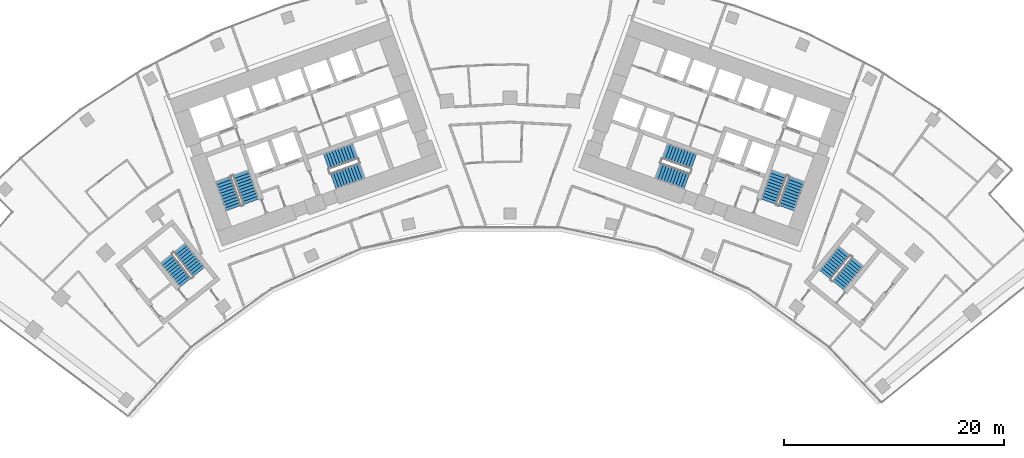
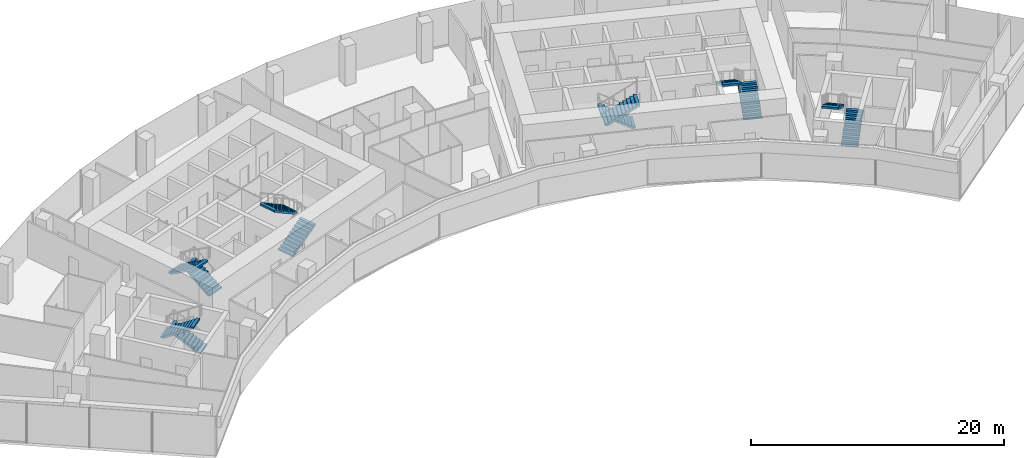
# One storey, part 19 of 21: 12 stair flights, 6 elements without a shape of their own.
"""IFC4 building model written with IfcOpenShell, lengths in metres."""

from ifc_helpers import new_model, si_unit, direction, frame, origin, place, context, subcontext, project, spatial, polyline, outline, extrude, material, type_object, element, aggregate, save


model = new_model("IFC4")

# Units and contexts
model_context = context("Model", 3, precision=1e-05, world=origin(), true_north=direction((0.0, 1.0)))
body_context = subcontext(model_context, "Body", "Model", "MODEL_VIEW")
ifc_project = project(units=[si_unit("LENGTHUNIT", "METRE"), si_unit("AREAUNIT", "SQUARE_METRE"), si_unit("VOLUMEUNIT", "CUBIC_METRE"), si_unit("PLANEANGLEUNIT", "RADIAN"), si_unit("MASSUNIT", "GRAM", prefix="KILO")], contexts=[model_context])

# Site, building, storey
site_placement = place(None, origin())
site = spatial("IfcSite", under=ifc_project, at=site_placement, CompositionType="ELEMENT")
building_placement = place(site_placement, origin())
building = spatial("IfcBuilding", under=site, at=building_placement, Name="Stone Belt Terrace Tower", CompositionType="ELEMENT")
storey_placement = place(building_placement, frame((0.0, 0.0, 163.0)))
storey = spatial("IfcBuildingStorey", under=building, at=storey_placement, Name="L39", CompositionType="ELEMENT", Elevation=163.0)

# Stair, stair flights
ifc_material = material(Name="Concrete B40", Category="concrete")
stair_type = type_object("IfcStairType", Name="Exit stair 1500", PredefinedType="HALF_TURN_STAIR", material=ifc_material)
stair_1_placement = place(storey_placement, origin())
stair_1 = element("IfcStair", 1, at=stair_1_placement, inside=storey, type_object=stair_type, Name="L39 Exit stair 1 core A", PredefinedType="HALF_TURN_STAIR")
stair_flight_type = type_object("IfcStairFlightType", Name="Stair flight 1500", PredefinedType="STRAIGHT", material=ifc_material)
stair_flight_1_placement = place(storey_placement, frame((-23.55322265625, 45.51318359375, 0.0), z_axis=(0.0, 0.0, 1.0), x_axis=(-0.338624396177, 0.940921632398, 0.0)))
stair_flight_1 = element("IfcStairFlight", 2, at=stair_flight_1_placement, type_object=stair_flight_type, Name="ST1A flight 1", NumberOfRisers=11, NumberOfTreads=10, PredefinedType="STRAIGHT", RiserHeight=0.172727273, TreadLength=0.28, context=body_context, shape_type="SweptSolid", body=[
    extrude(outline(polyline([(0.0, 0.0), (0.0, 0.172607421875), (0.280029296875, 0.172607421875), (0.280029296875, 0.345458984375), (0.56005859375, 0.345458984375), (0.56005859375, 0.51806640625), (0.840087890625, 0.51806640625), (0.840087890625, 0.69091796875), (1.1201171875, 0.69091796875), (1.1201171875, 0.863525390625), (1.39990234375, 0.863525390625), (1.39990234375, 1.036376953125), (1.679931640625, 1.036376953125), (1.679931640625, 1.208984375), (1.9599609375, 1.208984375), (1.9599609375, 1.3818359375), (2.239990234375, 1.3818359375), (2.239990234375, 1.554443359375), (2.52001953125, 1.554443359375), (2.52001953125, 1.727294921875), (2.800048828125, 1.727294921875), (2.800048828125, 1.89990234375), (2.800048828125, 1.551025390625), (0.285400390625, 0.0), (0.0, 0.0)])), frame((0.0, 0.75, 0.0), z_axis=(0.0, -1.0, 0.0), x_axis=(1.0, 0.0, 0.0)), (0.0, 0.0, 1.0), 1.5),
])
stair_flight_2_placement = place(storey_placement, frame((-26.10107421875, 47.572021484375, 1.89990234375), z_axis=(0.0, 0.0, 1.0), x_axis=(0.338624396177, -0.940921632398, 0.0)))
stair_flight_2 = element("IfcStairFlight", 3, at=stair_flight_2_placement, type_object=stair_flight_type, Name="ST1A flight 2", NumberOfRisers=11, NumberOfTreads=10, PredefinedType="STRAIGHT", RiserHeight=0.172727273, TreadLength=0.28, context=body_context, shape_type="SweptSolid", body=[
    extrude(outline(polyline([(0.0, 0.0), (0.0, 0.172607421875), (0.280029296875, 0.172607421875), (0.280029296875, 0.345458984375), (0.56005859375, 0.345458984375), (0.56005859375, 0.51806640625), (0.840087890625, 0.51806640625), (0.840087890625, 0.69091796875), (1.1201171875, 0.69091796875), (1.1201171875, 0.863525390625), (1.39990234375, 0.863525390625), (1.39990234375, 1.036376953125), (1.679931640625, 1.036376953125), (1.679931640625, 1.208984375), (1.9599609375, 1.208984375), (1.9599609375, 1.3818359375), (2.239990234375, 1.3818359375), (2.239990234375, 1.554443359375), (2.52001953125, 1.554443359375), (2.52001953125, 1.727294921875), (2.800048828125, 1.727294921875), (2.800048828125, 1.89990234375), (2.800048828125, 1.551025390625), (0.285400390625, 0.0), (0.0, 0.0)])), frame((0.0, 0.75, 0.0), z_axis=(0.0, -1.0, 0.0), x_axis=(1.0, 0.0, 0.0)), (0.0, 0.0, 1.0), 1.5),
])
aggregate(stair_1, [stair_flight_1, stair_flight_2])

stair_2_placement = place(storey_placement, origin())
stair_2 = element("IfcStair", 4, at=stair_2_placement, inside=storey, type_object=stair_type, Name="L39 Exit stair 2 core A", PredefinedType="HALF_TURN_STAIR")
stair_flight_3_placement = place(storey_placement, frame((-16.101318359375, 47.39794921875, 0.0), z_axis=(0.0, 0.0, 1.0), x_axis=(0.940921632398, 0.338624396177, 0.0)))
stair_flight_3 = element("IfcStairFlight", 5, at=stair_flight_3_placement, type_object=stair_flight_type, Name="ST2A flight 1", NumberOfRisers=11, NumberOfTreads=10, PredefinedType="STRAIGHT", RiserHeight=0.172727273, TreadLength=0.28, context=body_context, shape_type="SweptSolid", body=[
    extrude(outline(polyline([(0.0, 0.0), (0.0, 0.172607421875), (0.280029296875, 0.172607421875), (0.280029296875, 0.345458984375), (0.56005859375, 0.345458984375), (0.56005859375, 0.51806640625), (0.840087890625, 0.51806640625), (0.840087890625, 0.69091796875), (1.1201171875, 0.69091796875), (1.1201171875, 0.863525390625), (1.39990234375, 0.863525390625), (1.39990234375, 1.036376953125), (1.679931640625, 1.036376953125), (1.679931640625, 1.208984375), (1.9599609375, 1.208984375), (1.9599609375, 1.3818359375), (2.239990234375, 1.3818359375), (2.239990234375, 1.554443359375), (2.52001953125, 1.554443359375), (2.52001953125, 1.727294921875), (2.800048828125, 1.727294921875), (2.800048828125, 1.89990234375), (2.800048828125, 1.551025390625), (0.285400390625, 0.0), (0.0, 0.0)])), frame((0.0, 0.75, 0.0), z_axis=(0.0, -1.0, 0.0), x_axis=(1.0, 0.0, 0.0)), (0.0, 0.0, 1.0), 1.5),
])
stair_flight_4_placement = place(storey_placement, frame((-14.110107421875, 50.1337890625, 1.89990234375), z_axis=(0.0, 0.0, 1.0), x_axis=(-0.940921632398, -0.338624396177, 0.0)))
stair_flight_4 = element("IfcStairFlight", 6, at=stair_flight_4_placement, type_object=stair_flight_type, Name="ST2A flight 2", NumberOfRisers=11, NumberOfTreads=10, PredefinedType="STRAIGHT", RiserHeight=0.172727273, TreadLength=0.28, context=body_context, shape_type="SweptSolid", body=[
    extrude(outline(polyline([(0.0, 0.0), (0.0, 0.172607421875), (0.280029296875, 0.172607421875), (0.280029296875, 0.345458984375), (0.56005859375, 0.345458984375), (0.56005859375, 0.51806640625), (0.840087890625, 0.51806640625), (0.840087890625, 0.69091796875), (1.1201171875, 0.69091796875), (1.1201171875, 0.863525390625), (1.39990234375, 0.863525390625), (1.39990234375, 1.036376953125), (1.679931640625, 1.036376953125), (1.679931640625, 1.208984375), (1.9599609375, 1.208984375), (1.9599609375, 1.3818359375), (2.239990234375, 1.3818359375), (2.239990234375, 1.554443359375), (2.52001953125, 1.554443359375), (2.52001953125, 1.727294921875), (2.800048828125, 1.727294921875), (2.800048828125, 1.89990234375), (2.800048828125, 1.551025390625), (0.285400390625, 0.0), (0.0, 0.0)])), frame((0.0, 0.75, 0.0), z_axis=(0.0, -1.0, 0.0), x_axis=(1.0, 0.0, 0.0)), (0.0, 0.0, 1.0), 1.5),
])
aggregate(stair_2, [stair_flight_3, stair_flight_4])

stair_3_placement = place(storey_placement, origin())
stair_3 = element("IfcStair", 7, at=stair_3_placement, inside=storey, type_object=stair_type, Name="L39 Exit stair 1 core B", PredefinedType="HALF_TURN_STAIR")
stair_flight_5_placement = place(storey_placement, frame((25.15283203125, 44.9375, 0.0), z_axis=(0.0, 0.0, 1.0), x_axis=(0.338624396177, 0.940921632398, 0.0)))
stair_flight_5 = element("IfcStairFlight", 8, at=stair_flight_5_placement, type_object=stair_flight_type, Name="ST1B flight 1", NumberOfRisers=11, NumberOfTreads=10, PredefinedType="STRAIGHT", RiserHeight=0.172727273, TreadLength=0.28, context=body_context, shape_type="SweptSolid", body=[
    extrude(outline(polyline([(0.0, 0.0), (0.0, 0.172607421875), (0.280029296875, 0.172607421875), (0.280029296875, 0.345458984375), (0.56005859375, 0.345458984375), (0.56005859375, 0.51806640625), (0.840087890625, 0.51806640625), (0.840087890625, 0.69091796875), (1.1201171875, 0.69091796875), (1.1201171875, 0.863525390625), (1.39990234375, 0.863525390625), (1.39990234375, 1.036376953125), (1.679931640625, 1.036376953125), (1.679931640625, 1.208984375), (1.9599609375, 1.208984375), (1.9599609375, 1.3818359375), (2.239990234375, 1.3818359375), (2.239990234375, 1.554443359375), (2.52001953125, 1.554443359375), (2.52001953125, 1.727294921875), (2.800048828125, 1.727294921875), (2.800048828125, 1.89990234375), (2.800048828125, 1.551025390625), (0.285400390625, 0.0), (0.0, 0.0)])), frame((0.0, 0.75, 0.0), z_axis=(0.0, -1.0, 0.0), x_axis=(1.0, 0.0, 0.0)), (0.0, 0.0, 1.0), 1.5),
])
stair_flight_6_placement = place(storey_placement, frame((24.50146484375, 48.147705078125, 1.89990234375), z_axis=(0.0, 0.0, 1.0), x_axis=(-0.338624396177, -0.940921632398, 0.0)))
stair_flight_6 = element("IfcStairFlight", 9, at=stair_flight_6_placement, type_object=stair_flight_type, Name="ST1B flight 2", NumberOfRisers=11, NumberOfTreads=10, PredefinedType="STRAIGHT", RiserHeight=0.172727273, TreadLength=0.28, context=body_context, shape_type="SweptSolid", body=[
    extrude(outline(polyline([(0.0, 0.0), (0.0, 0.172607421875), (0.280029296875, 0.172607421875), (0.280029296875, 0.345458984375), (0.56005859375, 0.345458984375), (0.56005859375, 0.51806640625), (0.840087890625, 0.51806640625), (0.840087890625, 0.69091796875), (1.1201171875, 0.69091796875), (1.1201171875, 0.863525390625), (1.39990234375, 0.863525390625), (1.39990234375, 1.036376953125), (1.679931640625, 1.036376953125), (1.679931640625, 1.208984375), (1.9599609375, 1.208984375), (1.9599609375, 1.3818359375), (2.239990234375, 1.3818359375), (2.239990234375, 1.554443359375), (2.52001953125, 1.554443359375), (2.52001953125, 1.727294921875), (2.800048828125, 1.727294921875), (2.800048828125, 1.89990234375), (2.800048828125, 1.551025390625), (0.285400390625, 0.0), (0.0, 0.0)])), frame((0.0, 0.75, 0.0), z_axis=(0.0, -1.0, 0.0), x_axis=(1.0, 0.0, 0.0)), (0.0, 0.0, 1.0), 1.5),
])
aggregate(stair_3, [stair_flight_5, stair_flight_6])

stair_4_placement = place(storey_placement, origin())
stair_4 = element("IfcStair", 10, at=stair_4_placement, inside=storey, type_object=stair_type, Name="L39 Exit stair 2 core B", PredefinedType="HALF_TURN_STAIR")
stair_flight_7_placement = place(storey_placement, frame((16.74462890625, 49.185546875, 0.0), z_axis=(0.0, 0.0, 1.0), x_axis=(-0.940921632398, 0.338624396177, 0.0)))
stair_flight_7 = element("IfcStairFlight", 11, at=stair_flight_7_placement, type_object=stair_flight_type, Name="ST2B flight 1", NumberOfRisers=11, NumberOfTreads=10, PredefinedType="STRAIGHT", RiserHeight=0.172727273, TreadLength=0.28, context=body_context, shape_type="SweptSolid", body=[
    extrude(outline(polyline([(0.0, 0.0), (0.0, 0.172607421875), (0.280029296875, 0.172607421875), (0.280029296875, 0.345458984375), (0.56005859375, 0.345458984375), (0.56005859375, 0.51806640625), (0.840087890625, 0.51806640625), (0.840087890625, 0.69091796875), (1.1201171875, 0.69091796875), (1.1201171875, 0.863525390625), (1.39990234375, 0.863525390625), (1.39990234375, 1.036376953125), (1.679931640625, 1.036376953125), (1.679931640625, 1.208984375), (1.9599609375, 1.208984375), (1.9599609375, 1.3818359375), (2.239990234375, 1.3818359375), (2.239990234375, 1.554443359375), (2.52001953125, 1.554443359375), (2.52001953125, 1.727294921875), (2.800048828125, 1.727294921875), (2.800048828125, 1.89990234375), (2.800048828125, 1.551025390625), (0.285400390625, 0.0), (0.0, 0.0)])), frame((0.0, 0.75, 0.0), z_axis=(0.0, -1.0, 0.0), x_axis=(1.0, 0.0, 0.0)), (0.0, 0.0, 1.0), 1.5),
])
stair_flight_8_placement = place(storey_placement, frame((13.466796875, 48.345947265625, 1.89990234375), z_axis=(0.0, 0.0, 1.0), x_axis=(0.940921632398, -0.338624396177, 0.0)))
stair_flight_8 = element("IfcStairFlight", 12, at=stair_flight_8_placement, type_object=stair_flight_type, Name="ST2B flight 2", NumberOfRisers=11, NumberOfTreads=10, PredefinedType="STRAIGHT", RiserHeight=0.172727273, TreadLength=0.28, context=body_context, shape_type="SweptSolid", body=[
    extrude(outline(polyline([(0.0, 0.0), (0.0, 0.172607421875), (0.280029296875, 0.172607421875), (0.280029296875, 0.345458984375), (0.56005859375, 0.345458984375), (0.56005859375, 0.51806640625), (0.840087890625, 0.51806640625), (0.840087890625, 0.69091796875), (1.1201171875, 0.69091796875), (1.1201171875, 0.863525390625), (1.39990234375, 0.863525390625), (1.39990234375, 1.036376953125), (1.679931640625, 1.036376953125), (1.679931640625, 1.208984375), (1.9599609375, 1.208984375), (1.9599609375, 1.3818359375), (2.239990234375, 1.3818359375), (2.239990234375, 1.554443359375), (2.52001953125, 1.554443359375), (2.52001953125, 1.727294921875), (2.800048828125, 1.727294921875), (2.800048828125, 1.89990234375), (2.800048828125, 1.551025390625), (0.285400390625, 0.0), (0.0, 0.0)])), frame((0.0, 0.75, 0.0), z_axis=(0.0, -1.0, 0.0), x_axis=(1.0, 0.0, 0.0)), (0.0, 0.0, 1.0), 1.5),
])
aggregate(stair_4, [stair_flight_7, stair_flight_8])

stair_5_placement = place(storey_placement, origin())
stair_5 = element("IfcStair", 13, at=stair_5_placement, inside=storey, type_object=stair_type, Name="L39 Exit stair 3A", PredefinedType="HALF_TURN_STAIR")
stair_flight_9_placement = place(storey_placement, frame((-28.325439453125, 39.1240234375, 0.0), z_axis=(0.0, 0.0, 1.0), x_axis=(-0.623121363691, 0.782125160132, 0.0)))
stair_flight_9 = element("IfcStairFlight", 14, at=stair_flight_9_placement, type_object=stair_flight_type, Name="ST3A flight 1", NumberOfRisers=11, NumberOfTreads=10, PredefinedType="STRAIGHT", RiserHeight=0.172727273, TreadLength=0.28, context=body_context, shape_type="SweptSolid", body=[
    extrude(outline(polyline([(0.0, 0.0), (0.0, 0.172607421875), (0.280029296875, 0.172607421875), (0.280029296875, 0.345458984375), (0.56005859375, 0.345458984375), (0.56005859375, 0.51806640625), (0.840087890625, 0.51806640625), (0.840087890625, 0.69091796875), (1.1201171875, 0.69091796875), (1.1201171875, 0.863525390625), (1.39990234375, 0.863525390625), (1.39990234375, 1.036376953125), (1.679931640625, 1.036376953125), (1.679931640625, 1.208984375), (1.9599609375, 1.208984375), (1.9599609375, 1.3818359375), (2.239990234375, 1.3818359375), (2.239990234375, 1.554443359375), (2.52001953125, 1.554443359375), (2.52001953125, 1.727294921875), (2.800048828125, 1.727294921875), (2.800048828125, 1.89990234375), (2.800048828125, 1.551025390625), (0.285400390625, 0.0), (0.0, 0.0)])), frame((0.0, 0.675048828125, 0.0), z_axis=(0.0, -1.0, 0.0), x_axis=(1.0, 0.0, 0.0)), (0.0, 0.0, 1.0), 1.35009765625),
])
stair_flight_10_placement = place(storey_placement, frame((-31.282470703125, 40.34814453125, 1.89990234375), z_axis=(0.0, 0.0, 1.0), x_axis=(0.623121363691, -0.782125160132, 0.0)))
stair_flight_10 = element("IfcStairFlight", 15, at=stair_flight_10_placement, type_object=stair_flight_type, Name="ST3A flight 2", NumberOfRisers=11, NumberOfTreads=10, PredefinedType="STRAIGHT", RiserHeight=0.172727273, TreadLength=0.28, context=body_context, shape_type="SweptSolid", body=[
    extrude(outline(polyline([(0.0, 0.0), (0.0, 0.172607421875), (0.280029296875, 0.172607421875), (0.280029296875, 0.345458984375), (0.56005859375, 0.345458984375), (0.56005859375, 0.51806640625), (0.840087890625, 0.51806640625), (0.840087890625, 0.69091796875), (1.1201171875, 0.69091796875), (1.1201171875, 0.863525390625), (1.39990234375, 0.863525390625), (1.39990234375, 1.036376953125), (1.679931640625, 1.036376953125), (1.679931640625, 1.208984375), (1.9599609375, 1.208984375), (1.9599609375, 1.3818359375), (2.239990234375, 1.3818359375), (2.239990234375, 1.554443359375), (2.52001953125, 1.554443359375), (2.52001953125, 1.727294921875), (2.800048828125, 1.727294921875), (2.800048828125, 1.89990234375), (2.800048828125, 1.551025390625), (0.285400390625, 0.0), (0.0, 0.0)])), frame((0.0, 0.675048828125, 0.0), z_axis=(0.0, -1.0, 0.0), x_axis=(1.0, 0.0, 0.0)), (0.0, 0.0, 1.0), 1.35009765625),
])
aggregate(stair_5, [stair_flight_9, stair_flight_10])

stair_6_placement = place(storey_placement, origin())
stair_6 = element("IfcStair", 16, at=stair_6_placement, inside=storey, type_object=stair_type, Name="L39 Exit stair 3B", PredefinedType="HALF_TURN_STAIR")
stair_flight_11_placement = place(storey_placement, frame((29.88330078125, 37.887939453125, 0.0), z_axis=(0.0, 0.0, 1.0), x_axis=(0.630205749599, 0.776428176441, 0.0)))
stair_flight_11 = element("IfcStairFlight", 17, at=stair_flight_11_placement, type_object=stair_flight_type, Name="ST3B flight 1", NumberOfRisers=11, NumberOfTreads=10, PredefinedType="STRAIGHT", RiserHeight=0.172727273, TreadLength=0.28, context=body_context, shape_type="SweptSolid", body=[
    extrude(outline(polyline([(0.0, 0.0), (0.0, 0.172607421875), (0.280029296875, 0.172607421875), (0.280029296875, 0.345458984375), (0.56005859375, 0.345458984375), (0.56005859375, 0.51806640625), (0.840087890625, 0.51806640625), (0.840087890625, 0.69091796875), (1.1201171875, 0.69091796875), (1.1201171875, 0.863525390625), (1.39990234375, 0.863525390625), (1.39990234375, 1.036376953125), (1.679931640625, 1.036376953125), (1.679931640625, 1.208984375), (1.9599609375, 1.208984375), (1.9599609375, 1.3818359375), (2.239990234375, 1.3818359375), (2.239990234375, 1.554443359375), (2.52001953125, 1.554443359375), (2.52001953125, 1.727294921875), (2.800048828125, 1.727294921875), (2.800048828125, 1.89990234375), (2.800048828125, 1.551025390625), (0.285400390625, 0.0), (0.0, 0.0)])), frame((0.0, 0.675048828125, 0.0), z_axis=(0.0, -1.0, 0.0), x_axis=(1.0, 0.0, 0.0)), (0.0, 0.0, 1.0), 1.35009765625),
])
stair_flight_12_placement = place(storey_placement, frame((30.4443359375, 41.038818359375, 1.89990234375), z_axis=(0.0, 0.0, 1.0), x_axis=(-0.630205749599, -0.776428176441, 0.0)))
stair_flight_12 = element("IfcStairFlight", 18, at=stair_flight_12_placement, type_object=stair_flight_type, Name="ST3B flight 2", NumberOfRisers=11, NumberOfTreads=10, PredefinedType="STRAIGHT", RiserHeight=0.172727273, TreadLength=0.28, context=body_context, shape_type="SweptSolid", body=[
    extrude(outline(polyline([(0.0, 0.0), (0.0, 0.172607421875), (0.280029296875, 0.172607421875), (0.280029296875, 0.345458984375), (0.56005859375, 0.345458984375), (0.56005859375, 0.51806640625), (0.840087890625, 0.51806640625), (0.840087890625, 0.69091796875), (1.1201171875, 0.69091796875), (1.1201171875, 0.863525390625), (1.39990234375, 0.863525390625), (1.39990234375, 1.036376953125), (1.679931640625, 1.036376953125), (1.679931640625, 1.208984375), (1.9599609375, 1.208984375), (1.9599609375, 1.3818359375), (2.239990234375, 1.3818359375), (2.239990234375, 1.554443359375), (2.52001953125, 1.554443359375), (2.52001953125, 1.727294921875), (2.800048828125, 1.727294921875), (2.800048828125, 1.89990234375), (2.800048828125, 1.551025390625), (0.285400390625, 0.0), (0.0, 0.0)])), frame((0.0, 0.675048828125, 0.0), z_axis=(0.0, -1.0, 0.0), x_axis=(1.0, 0.0, 0.0)), (0.0, 0.0, 1.0), 1.35009765625),
])
aggregate(stair_6, [stair_flight_11, stair_flight_12])

save(model, "model.ifc")
